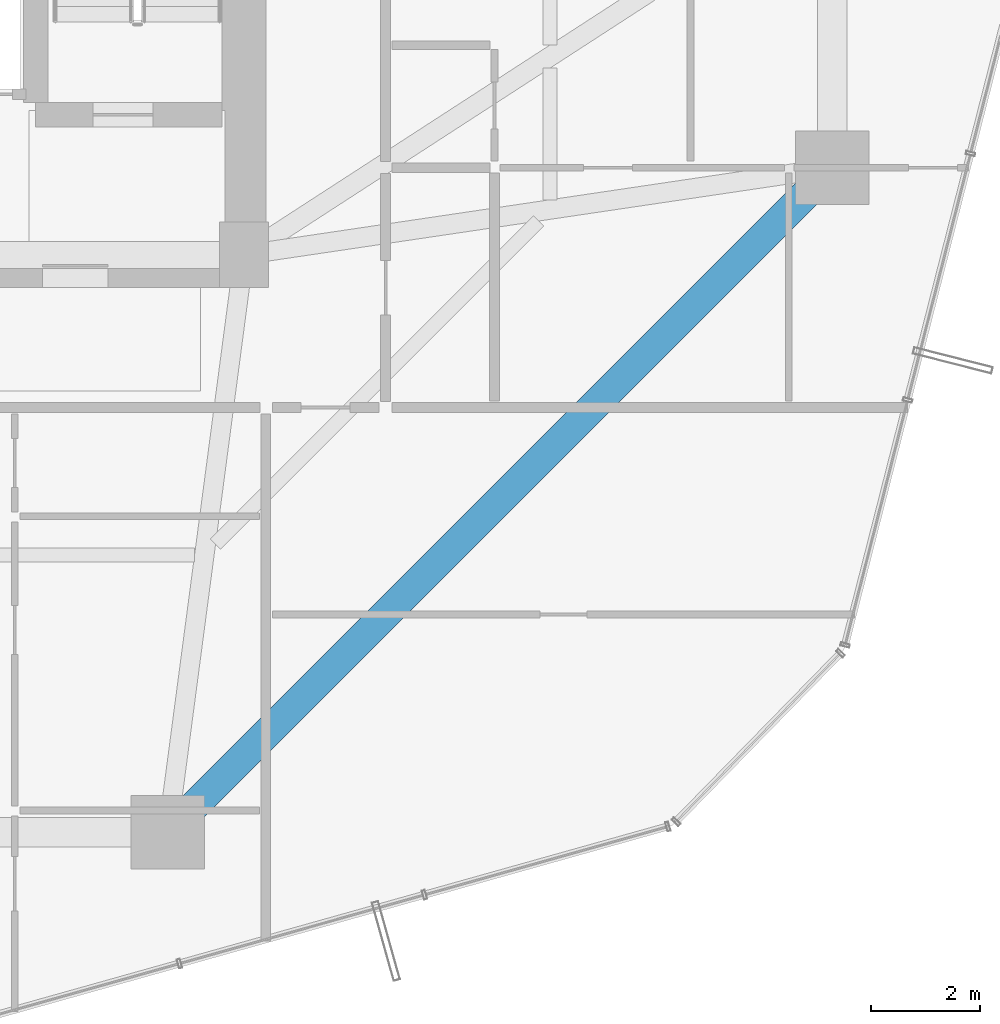
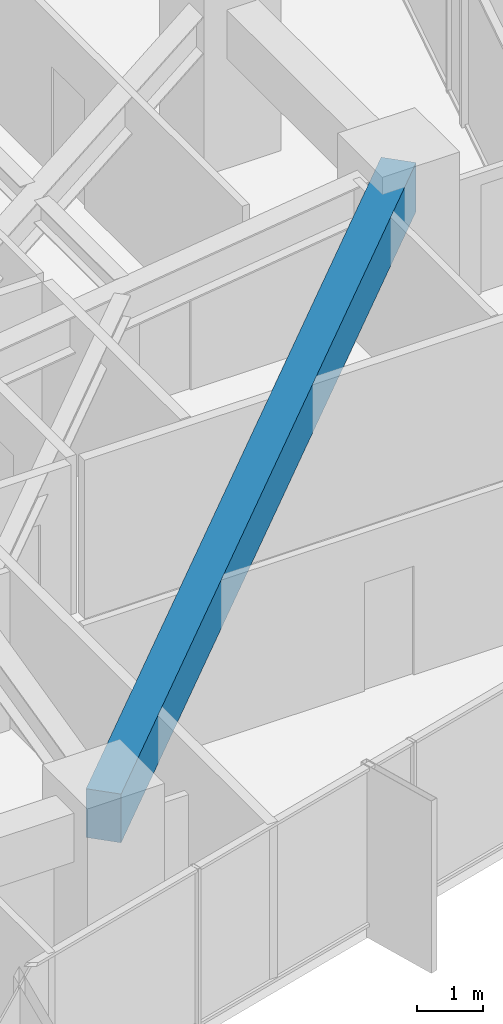
# One storey, part 14 of 39: 1 beam.
"""IFC4 building model written with IfcOpenShell, lengths in metres."""

from ifc_helpers import new_model, si_unit, direction, frame, origin, origin_2d, place, context, subcontext, project, spatial, rectangle, extrude, material, material_profile, profile_set, type_object, element, save


model = new_model("IFC4")

# Units and contexts
model_context = context("Model", 3, precision=1e-05, world=origin(), true_north=direction((0.0, 1.0)))
body_context = subcontext(model_context, "Body", "Model", "MODEL_VIEW")
ifc_project = project(units=[si_unit("LENGTHUNIT", "METRE"), si_unit("AREAUNIT", "SQUARE_METRE"), si_unit("VOLUMEUNIT", "CUBIC_METRE"), si_unit("PLANEANGLEUNIT", "RADIAN"), si_unit("MASSUNIT", "GRAM", prefix="KILO")], contexts=[model_context])

# Site, building, storey
site_placement = place(None, origin())
site = spatial("IfcSite", under=ifc_project, at=site_placement, CompositionType="ELEMENT")
building_placement = place(site_placement, origin())
building = spatial("IfcBuilding", under=site, at=building_placement, Name="Veraguas Prism Commons", CompositionType="ELEMENT")
storey_placement = place(building_placement, frame((0.0, 0.0, 77.10009765625)))
storey = spatial("IfcBuildingStorey", under=building, at=storey_placement, Name="L21", CompositionType="ELEMENT", Elevation=77.10009765625)

# Beam
ifc_material = material(Name="Concrete C50/60", Category="concrete")
ifc_material_profile = material_profile(ifc_material, rectangle(XDim=0.550048828125, YDim=0.89990234375, at=origin_2d()), Name="RC550X900")
ifc_profile_set = profile_set([ifc_material_profile], Name="Concrete C50/60")
beam_type = type_object("IfcBeamType", Name="Perimeter Spandrel Lower RC 550x900", PredefinedType="SPANDREL", material=ifc_profile_set)
beam_placement = place(storey_placement, frame((29.39990234375, 6.39990234375, 2.47998046875), z_axis=(0.707106781187, 0.707106781187, 0.0), x_axis=(-0.707106781187, 0.707106781187, 0.0)))
element("IfcBeam", 1, at=beam_placement, inside=storey, type_object=beam_type, Name="Perimeter Spandrel Beam L21-SP12", PredefinedType="SPANDREL", context=body_context, shape_type="SweptSolid", body=[
    extrude(rectangle(XDim=0.550048828125, YDim=0.89990234375, at=origin_2d()), origin(), (0.0, 0.0, 1.0), 17.253662109375),
])

save(model, "model.ifc")
